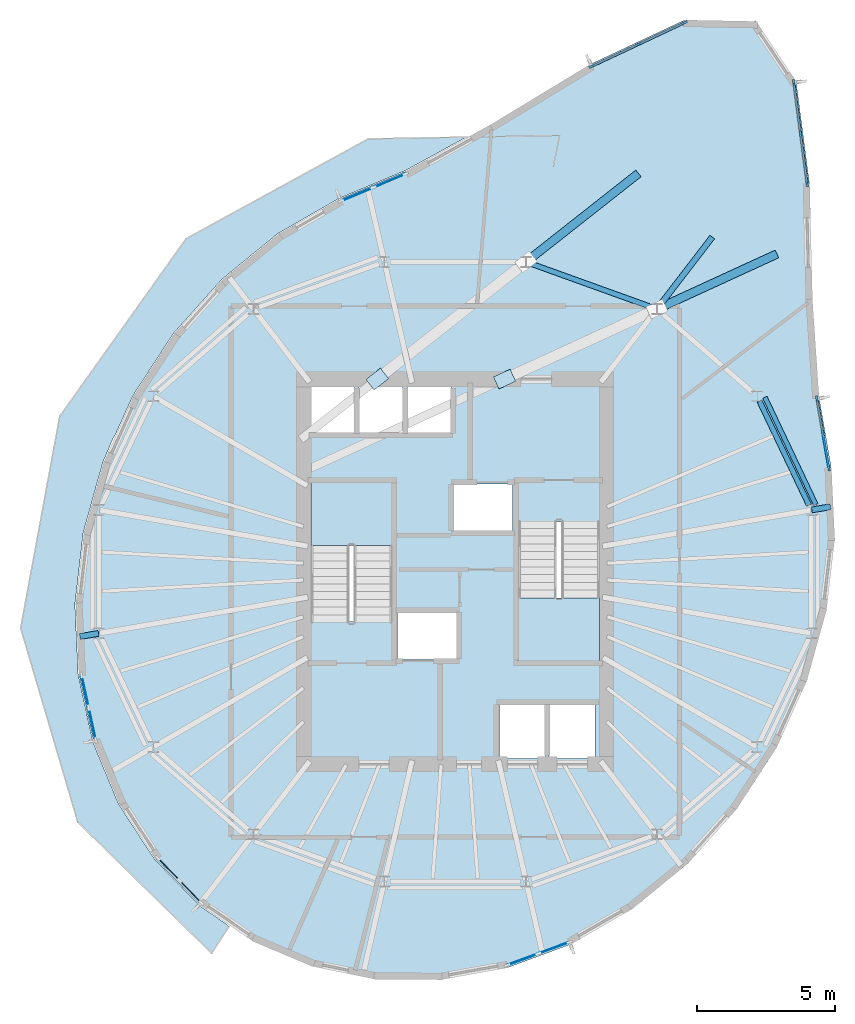
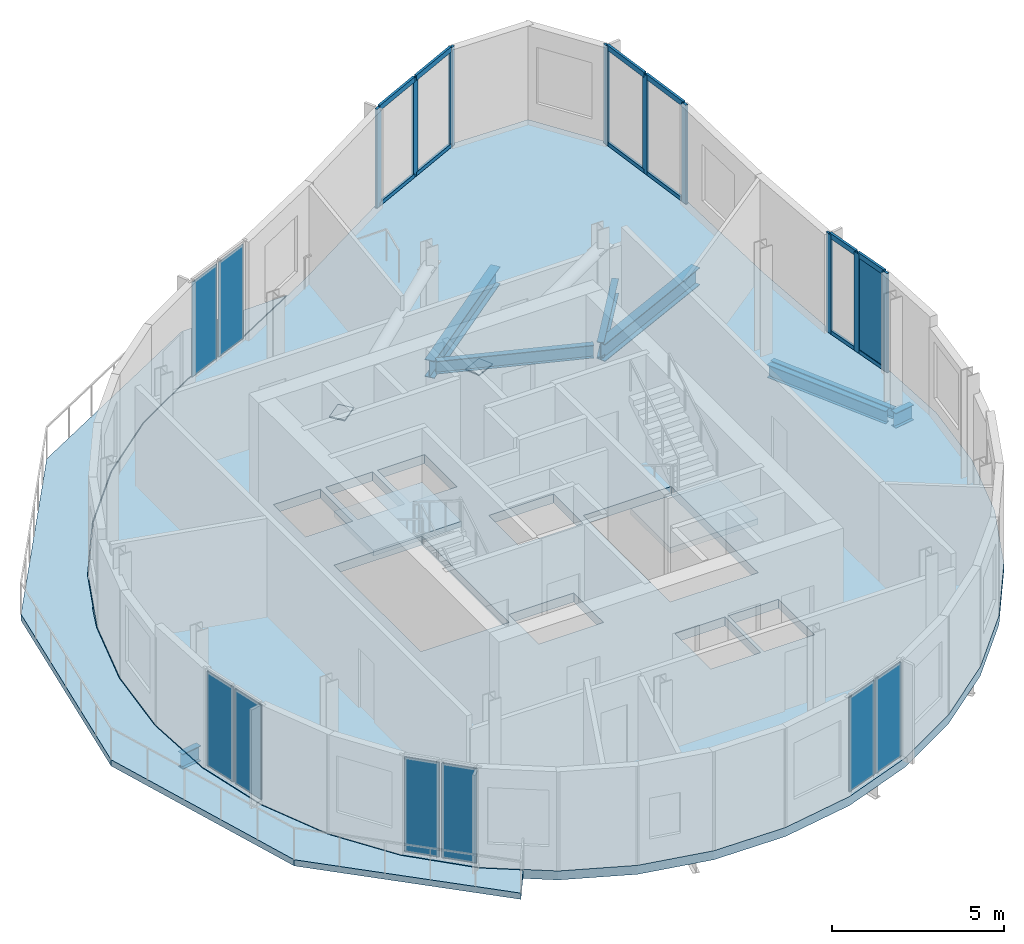
# One storey, part 3 of 8: 21 members, 11 plates, 8 beams, 4 slabs, 9 elements without a shape of their own.
"""IFC4 building model written with IfcOpenShell, lengths in metres."""

from ifc_helpers import new_model, si_unit, direction, frame, origin, origin_2d, place, context, subcontext, project, spatial, polyline, rectangle, i_section, outline, extrude, material, layer, layer_set, material_profile, profile_set, type_object, element, aggregate, save


model = new_model("IFC4")

# Units and contexts
model_context = context("Model", 3, precision=1e-05, world=origin(), true_north=direction((0.0, 1.0)))
body_context = subcontext(model_context, "Body", "Model", "MODEL_VIEW")
ifc_project = project(units=[si_unit("LENGTHUNIT", "METRE"), si_unit("AREAUNIT", "SQUARE_METRE"), si_unit("VOLUMEUNIT", "CUBIC_METRE"), si_unit("PLANEANGLEUNIT", "RADIAN"), si_unit("MASSUNIT", "GRAM", prefix="KILO")], contexts=[model_context])

# Site, building, storey
site_placement = place(None, origin())
site = spatial("IfcSite", under=ifc_project, at=site_placement, CompositionType="ELEMENT")
building_placement = place(site_placement, origin())
building = spatial("IfcBuilding", under=site, at=building_placement, Name="Veldorim Arch Residences", CompositionType="ELEMENT")
storey_placement = place(building_placement, frame((0.0, 0.0, 243.0400390625)))
storey = spatial("IfcBuildingStorey", under=building, at=storey_placement, Name="L73", CompositionType="ELEMENT", Elevation=243.0400390625)

# Curtain wall, members
ifc_material_1 = material(Name="Aluminium", Category="aluminium")
curtain_wall_type = type_object("IfcCurtainWallType", Name="Sky Lounge & Conservatory Tall Curtain Wall", PredefinedType="NOTDEFINED", material=ifc_material_1)
curtain_wall_1_placement = place(storey_placement, origin())
curtain_wall_1 = element("IfcCurtainWall", 1, at=curtain_wall_1_placement, inside=storey, type_object=curtain_wall_type, Name="L73 unitised curtain wall bay 02", PredefinedType="NOTDEFINED")
ifc_material_2 = material(Name="Aluminium", Category="aluminium")
ifc_material_profile_1 = material_profile(ifc_material_2, rectangle(XDim=0.080078125, YDim=0.219970703125, at=origin_2d()), Name="ALU_MUL_80x220")
ifc_profile_set_1 = profile_set([ifc_material_profile_1], Name="Aluminium")
member_type_1 = type_object("IfcMemberType", Name="Sky Lounge & Conservatory Tall Curtain Wall Mullion 80x220", PredefinedType="MULLION", material=ifc_profile_set_1)
member_1_placement = place(storey_placement, frame((36.96630859375, 42.37060546875, 0.0), z_axis=(0.0, 0.0, 1.0), x_axis=(-0.425477875731, 0.904968826681, 0.0)))
member_1 = element("IfcMember", 2, at=member_1_placement, type_object=member_type_1, Name="CW-SKY mullion 1", PredefinedType="MULLION", context=body_context, shape_type="SweptSolid", body=[
    extrude(rectangle(XDim=0.080078125, YDim=0.219970703125, at=origin_2d()), origin(), (0.0, 0.0, 1.0), 3.52001953125),
])
member_2_placement = place(storey_placement, frame((38.650634765625, 43.16259765625, 0.0), z_axis=(0.0, 0.0, 1.0), x_axis=(-0.425477875731, 0.904968826681, 0.0)))
member_2 = element("IfcMember", 3, at=member_2_placement, type_object=member_type_1, Name="CW-SKY mullion 2", PredefinedType="MULLION", context=body_context, shape_type="SweptSolid", body=[
    extrude(rectangle(XDim=0.080078125, YDim=0.219970703125, at=origin_2d()), origin(), (0.0, 0.0, 1.0), 3.52001953125),
])
member_3_placement = place(storey_placement, frame((40.335205078125, 43.95458984375, 0.0), z_axis=(0.0, 0.0, 1.0), x_axis=(-0.425477875731, 0.904968826681, 0.0)))
member_3 = element("IfcMember", 4, at=member_3_placement, type_object=member_type_1, Name="CW-SKY mullion 3", PredefinedType="MULLION", context=body_context, shape_type="SweptSolid", body=[
    extrude(rectangle(XDim=0.080078125, YDim=0.219970703125, at=origin_2d()), origin(), (0.0, 0.0, 1.0), 3.52001953125),
])

curtain_wall_2_placement = place(storey_placement, origin())
curtain_wall_2 = element("IfcCurtainWall", 5, at=curtain_wall_2_placement, inside=storey, type_object=curtain_wall_type, Name="L73 unitised curtain wall bay 32", PredefinedType="NOTDEFINED")
member_4_placement = place(storey_placement, frame((45.144775390625, 30.28369140625, 0.0), z_axis=(0.0, 0.0, 1.0), x_axis=(0.98523068919, 0.171232266461, 0.0)))
member_4 = element("IfcMember", 6, at=member_4_placement, type_object=member_type_1, Name="CW-SKY mullion 1", PredefinedType="MULLION", context=body_context, shape_type="SweptSolid", body=[
    extrude(rectangle(XDim=0.080078125, YDim=0.219970703125, at=origin_2d()), origin(), (0.0, 0.0, 1.0), 3.52001953125),
])
member_5_placement = place(storey_placement, frame((45.363525390625, 29.025146484375, 0.0), z_axis=(0.0, 0.0, 1.0), x_axis=(0.98523068919, 0.171232266461, 0.0)))
member_5 = element("IfcMember", 7, at=member_5_placement, type_object=member_type_1, Name="CW-SKY mullion 2", PredefinedType="MULLION", context=body_context, shape_type="SweptSolid", body=[
    extrude(rectangle(XDim=0.080078125, YDim=0.219970703125, at=origin_2d()), origin(), (0.0, 0.0, 1.0), 3.52001953125),
])
member_6_placement = place(storey_placement, frame((45.582275390625, 27.766357421875, 0.0), z_axis=(0.0, 0.0, 1.0), x_axis=(0.98523068919, 0.171232266461, 0.0)))
member_6 = element("IfcMember", 8, at=member_6_placement, type_object=member_type_1, Name="CW-SKY mullion 3", PredefinedType="MULLION", context=body_context, shape_type="SweptSolid", body=[
    extrude(rectangle(XDim=0.080078125, YDim=0.219970703125, at=origin_2d()), origin(), (0.0, 0.0, 1.0), 3.52001953125),
])

curtain_wall_3_placement = place(storey_placement, origin())
curtain_wall_3 = element("IfcCurtainWall", 9, at=curtain_wall_3_placement, inside=storey, type_object=curtain_wall_type, Name="L73 unitised curtain wall bay 35", PredefinedType="NOTDEFINED")
member_7_placement = place(storey_placement, frame((44.3076171875, 41.781494140625, 0.0), z_axis=(0.0, 0.0, 1.0), x_axis=(0.991540183545, 0.129800094047, 0.0)))
member_7 = element("IfcMember", 10, at=member_7_placement, type_object=member_type_1, Name="CW-SKY mullion 1", PredefinedType="MULLION", context=body_context, shape_type="SweptSolid", body=[
    extrude(rectangle(XDim=0.080078125, YDim=0.219970703125, at=origin_2d()), origin(), (0.0, 0.0, 1.0), 3.52001953125),
])
member_8_placement = place(storey_placement, frame((44.54931640625, 39.935791015625, 0.0), z_axis=(0.0, 0.0, 1.0), x_axis=(0.991540183545, 0.129800094047, 0.0)))
member_8 = element("IfcMember", 11, at=member_8_placement, type_object=member_type_1, Name="CW-SKY mullion 2", PredefinedType="MULLION", context=body_context, shape_type="SweptSolid", body=[
    extrude(rectangle(XDim=0.080078125, YDim=0.219970703125, at=origin_2d()), origin(), (0.0, 0.0, 1.0), 3.52001953125),
])
member_9_placement = place(storey_placement, frame((44.790771484375, 38.090087890625, 0.0), z_axis=(0.0, 0.0, 1.0), x_axis=(0.991540183545, 0.129800094047, 0.0)))
member_9 = element("IfcMember", 12, at=member_9_placement, type_object=member_type_1, Name="CW-SKY mullion 3", PredefinedType="MULLION", context=body_context, shape_type="SweptSolid", body=[
    extrude(rectangle(XDim=0.080078125, YDim=0.219970703125, at=origin_2d()), origin(), (0.0, 0.0, 1.0), 3.52001953125),
])

# Member
ifc_material_3 = material(Name="Aluminium", Category="aluminium")
ifc_material_profile_2 = material_profile(ifc_material_3, rectangle(XDim=0.080078125, YDim=0.18505859375, at=origin_2d()), Name="ALU_TRN_80x185")
ifc_profile_set_2 = profile_set([ifc_material_profile_2], Name="Aluminium")
member_type_2 = type_object("IfcMemberType", Name="Sky Lounge & Conservatory Tall Curtain Wall Transom 80x185", PredefinedType="USERDEFINED", material=ifc_profile_set_2)
member_10_placement = place(storey_placement, frame((37.00244140625, 42.387451171875, 0.0400390625), z_axis=(0.904939797418, 0.425539613961, 0.0), x_axis=(-0.425539613961, 0.904939797418, 0.0)))
member_10 = element("IfcMember", 13, at=member_10_placement, type_object=member_type_2, Name="CW-SKY transom 1.1", ObjectType="TRANSOM", PredefinedType="USERDEFINED", context=body_context, shape_type="SweptSolid", body=[
    extrude(rectangle(XDim=0.080078125, YDim=0.18505859375, at=origin_2d()), origin(), (0.0, 0.0, 1.0), 1.781494140625),
])

member_11_placement = place(storey_placement, frame((37.00244140625, 42.387451171875, 3.47998046875), z_axis=(0.904939797418, 0.425539613961, 0.0), x_axis=(-0.425539613961, 0.904939797418, 0.0)))
member_11 = element("IfcMember", 14, at=member_11_placement, type_object=member_type_2, Name="CW-SKY transom 1.2", ObjectType="TRANSOM", PredefinedType="USERDEFINED", context=body_context, shape_type="SweptSolid", body=[
    extrude(rectangle(XDim=0.080078125, YDim=0.18505859375, at=origin_2d()), origin(), (0.0, 0.0, 1.0), 1.781494140625),
])

member_12_placement = place(storey_placement, frame((38.68701171875, 43.179443359375, 0.0400390625), z_axis=(0.904939797418, 0.425539613961, 0.0), x_axis=(-0.425539613961, 0.904939797418, 0.0)))
member_12 = element("IfcMember", 15, at=member_12_placement, type_object=member_type_2, Name="CW-SKY transom 2.1", ObjectType="TRANSOM", PredefinedType="USERDEFINED", context=body_context, shape_type="SweptSolid", body=[
    extrude(rectangle(XDim=0.080078125, YDim=0.18505859375, at=origin_2d()), origin(), (0.0, 0.0, 1.0), 1.781494140625),
])

member_13_placement = place(storey_placement, frame((38.68701171875, 43.179443359375, 3.47998046875), z_axis=(0.904939797418, 0.425539613961, 0.0), x_axis=(-0.425539613961, 0.904939797418, 0.0)))
member_13 = element("IfcMember", 16, at=member_13_placement, type_object=member_type_2, Name="CW-SKY transom 2.2", ObjectType="TRANSOM", PredefinedType="USERDEFINED", context=body_context, shape_type="SweptSolid", body=[
    extrude(rectangle(XDim=0.080078125, YDim=0.18505859375, at=origin_2d()), origin(), (0.0, 0.0, 1.0), 1.781494140625),
])

aggregate(curtain_wall_1, [member_1, member_2, member_3, member_10, member_11, member_12, member_13])

member_14_placement = place(storey_placement, frame((45.151611328125, 30.244384765625, 0.0400390625), z_axis=(0.171237937308, -0.985229703585, 0.0), x_axis=(0.985229703585, 0.171237937308, 0.0)))
member_14 = element("IfcMember", 17, at=member_14_placement, type_object=member_type_2, Name="CW-SKY transom 1.1", ObjectType="TRANSOM", PredefinedType="USERDEFINED", context=body_context, shape_type="SweptSolid", body=[
    extrude(rectangle(XDim=0.080078125, YDim=0.18505859375, at=origin_2d()), origin(), (0.0, 0.0, 1.0), 1.197509765625),
])

member_15_placement = place(storey_placement, frame((45.151611328125, 30.244384765625, 3.47998046875), z_axis=(0.171237937308, -0.985229703585, 0.0), x_axis=(0.985229703585, 0.171237937308, 0.0)))
member_15 = element("IfcMember", 18, at=member_15_placement, type_object=member_type_2, Name="CW-SKY transom 1.2", ObjectType="TRANSOM", PredefinedType="USERDEFINED", context=body_context, shape_type="SweptSolid", body=[
    extrude(rectangle(XDim=0.080078125, YDim=0.18505859375, at=origin_2d()), origin(), (0.0, 0.0, 1.0), 1.197509765625),
])

member_16_placement = place(storey_placement, frame((45.370361328125, 28.985595703125, 0.0400390625), z_axis=(0.171272336173, -0.985223724269, 0.0), x_axis=(0.985223724269, 0.171272336173, 0.0)))
member_16 = element("IfcMember", 19, at=member_16_placement, type_object=member_type_2, Name="CW-SKY transom 2.1", ObjectType="TRANSOM", PredefinedType="USERDEFINED", context=body_context, shape_type="SweptSolid", body=[
    extrude(rectangle(XDim=0.080078125, YDim=0.18505859375, at=origin_2d()), origin(), (0.0, 0.0, 1.0), 1.197265625),
])

member_17_placement = place(storey_placement, frame((45.370361328125, 28.985595703125, 3.47998046875), z_axis=(0.171272336173, -0.985223724269, 0.0), x_axis=(0.985223724269, 0.171272336173, 0.0)))
member_17 = element("IfcMember", 20, at=member_17_placement, type_object=member_type_2, Name="CW-SKY transom 2.2", ObjectType="TRANSOM", PredefinedType="USERDEFINED", context=body_context, shape_type="SweptSolid", body=[
    extrude(rectangle(XDim=0.080078125, YDim=0.18505859375, at=origin_2d()), origin(), (0.0, 0.0, 1.0), 1.197265625),
])

member_18_placement = place(storey_placement, frame((44.312744140625, 41.74169921875, 0.0400390625), z_axis=(0.129784449638, -0.991542231391, 0.0), x_axis=(0.991542231391, 0.129784449638, 0.0)))
member_18 = element("IfcMember", 21, at=member_18_placement, type_object=member_type_2, Name="CW-SKY transom 1.1", ObjectType="TRANSOM", PredefinedType="USERDEFINED", context=body_context, shape_type="SweptSolid", body=[
    extrude(rectangle(XDim=0.080078125, YDim=0.18505859375, at=origin_2d()), origin(), (0.0, 0.0, 1.0), 1.781494140625),
])

member_19_placement = place(storey_placement, frame((44.312744140625, 41.74169921875, 3.47998046875), z_axis=(0.129784449638, -0.991542231391, 0.0), x_axis=(0.991542231391, 0.129784449638, 0.0)))
member_19 = element("IfcMember", 22, at=member_19_placement, type_object=member_type_2, Name="CW-SKY transom 1.2", ObjectType="TRANSOM", PredefinedType="USERDEFINED", context=body_context, shape_type="SweptSolid", body=[
    extrude(rectangle(XDim=0.080078125, YDim=0.18505859375, at=origin_2d()), origin(), (0.0, 0.0, 1.0), 1.781494140625),
])

member_20_placement = place(storey_placement, frame((44.554443359375, 39.896240234375, 0.0400390625), z_axis=(0.129784449638, -0.991542231391, 0.0), x_axis=(0.991542231391, 0.129784449638, 0.0)))
member_20 = element("IfcMember", 23, at=member_20_placement, type_object=member_type_2, Name="CW-SKY transom 2.1", ObjectType="TRANSOM", PredefinedType="USERDEFINED", context=body_context, shape_type="SweptSolid", body=[
    extrude(rectangle(XDim=0.080078125, YDim=0.18505859375, at=origin_2d()), origin(), (0.0, 0.0, 1.0), 1.781494140625),
])

member_21_placement = place(storey_placement, frame((44.554443359375, 39.896240234375, 3.47998046875), z_axis=(0.129784449638, -0.991542231391, 0.0), x_axis=(0.991542231391, 0.129784449638, 0.0)))
member_21 = element("IfcMember", 24, at=member_21_placement, type_object=member_type_2, Name="CW-SKY transom 2.2", ObjectType="TRANSOM", PredefinedType="USERDEFINED", context=body_context, shape_type="SweptSolid", body=[
    extrude(rectangle(XDim=0.080078125, YDim=0.18505859375, at=origin_2d()), origin(), (0.0, 0.0, 1.0), 1.781494140625),
])

aggregate(curtain_wall_3, [member_7, member_8, member_9, member_18, member_19, member_20, member_21])

# Beams
ifc_material_4 = material(Name="Steel S355", Category="steel")
ifc_material_profile_3 = material_profile(ifc_material_4, i_section(OverallWidth=0.2119140625, OverallDepth=0.54443359375, WebThickness=0.0126953125, FlangeThickness=0.021240234375, at=origin_2d()), Name="UB533x210x122")
ifc_profile_set_3 = profile_set([ifc_material_profile_3], Name="Steel S355")
beam_type_1 = type_object("IfcBeamType", Name="Structural Steel Beam UB533x210x122", PredefinedType="BEAM", material=ifc_profile_set_3)
beam_1_placement = place(storey_placement, frame((44.966064453125, 26.242919921875, -0.59228515625), z_axis=(0.985326364721, 0.170680857115, 0.0), x_axis=(-0.170680857115, 0.985326364721, 0.0)))
element("IfcBeam", 25, at=beam_1_placement, inside=storey, type_object=beam_type_1, Name="L73 radial edge cantilever girder 01", PredefinedType="BEAM", context=body_context, shape_type="SweptSolid", body=[
    extrude(i_section(OverallWidth=0.2119140625, OverallDepth=0.54443359375, WebThickness=0.0126953125, FlangeThickness=0.021240234375, at=origin_2d()), origin(), (0.0, 0.0, 1.0), 0.6865234375),
])
beam_2_placement = place(storey_placement, frame((39.345703125, 33.561279296875, -0.59228515625), z_axis=(0.609261001157, 0.792969755079, 0.0), x_axis=(-0.792969755079, 0.609261001157, 0.0)))
element("IfcBeam", 26, at=beam_2_placement, inside=storey, type_object=beam_type_1, Name="L73 radial edge cantilever girder 03", PredefinedType="BEAM", context=body_context, shape_type="SweptSolid", body=[
    extrude(i_section(OverallWidth=0.2119140625, OverallDepth=0.54443359375, WebThickness=0.0126953125, FlangeThickness=0.021240234375, at=origin_2d()), origin(), (0.0, 0.0, 1.0), 3.27978515625),
])
beam_3_placement = place(storey_placement, frame((19.033935546875, 21.757080078125, -0.59228515625), z_axis=(-0.985326364721, -0.170680857115, 0.0), x_axis=(0.170680857115, -0.985326364721, 0.0)))
element("IfcBeam", 27, at=beam_3_placement, inside=storey, type_object=beam_type_1, Name="L73 radial edge cantilever girder 09", PredefinedType="BEAM", context=body_context, shape_type="SweptSolid", body=[
    extrude(i_section(OverallWidth=0.2119140625, OverallDepth=0.54443359375, WebThickness=0.0126953125, FlangeThickness=0.021240234375, at=origin_2d()), origin(), (0.0, 0.0, 1.0), 0.6865234375),
])
ifc_material_5 = material(Name="Steel S355", Category="steel")
ifc_material_profile_4 = material_profile(ifc_material_5, i_section(OverallWidth=0.30712890625, OverallDepth=0.6201171875, WebThickness=0.01416015625, FlangeThickness=0.023681640625, at=origin_2d()), Name="UB610x305x179")
ifc_profile_set_4 = profile_set([ifc_material_profile_4], Name="Steel S355")
beam_type_2 = type_object("IfcBeamType", Name="Structural Steel Beam UB610x305x179", PredefinedType="BEAM", material=ifc_profile_set_4)
beam_4_placement = place(storey_placement, frame((39.351806640625, 33.5537109375, -0.64013671875), z_axis=(0.908700932786, 0.41744773895, 0.0), x_axis=(-0.41744773895, 0.908700932786, 0.0)))
element("IfcBeam", 28, at=beam_4_placement, inside=storey, type_object=beam_type_2, Name="Observation prow cantilever girder 1 L73", PredefinedType="BEAM", context=body_context, shape_type="SweptSolid", body=[
    extrude(i_section(OverallWidth=0.30712890625, OverallDepth=0.6201171875, WebThickness=0.01416015625, FlangeThickness=0.023681640625, at=origin_2d()), origin(), (0.0, 0.0, 1.0), 4.77978515625),
])
beam_5_placement = place(storey_placement, frame((34.5908203125, 35.271728515625, -0.64013671875), z_axis=(0.785632591973, 0.618693325024, 0.0), x_axis=(-0.618693325024, 0.785632591973, 0.0)))
element("IfcBeam", 29, at=beam_5_placement, inside=storey, type_object=beam_type_2, Name="Observation prow cantilever girder 2 L73", PredefinedType="BEAM", context=body_context, shape_type="SweptSolid", body=[
    extrude(i_section(OverallWidth=0.30712890625, OverallDepth=0.6201171875, WebThickness=0.01416015625, FlangeThickness=0.023681640625, at=origin_2d()), origin(), (0.0, 0.0, 1.0), 5.179931640625),
])
ifc_material_6 = material(Name="Steel S355", Category="steel")
ifc_material_profile_5 = material_profile(ifc_material_6, i_section(OverallWidth=0.172119140625, OverallDepth=0.35791015625, WebThickness=0.008056640625, FlangeThickness=0.012939453125, at=origin_2d()), Name="UB356x171x57")
ifc_profile_set_5 = profile_set([ifc_material_profile_5], Name="Steel S355")
beam_type_3 = type_object("IfcBeamType", Name="Structural Steel Spandrel UB356x171x57", PredefinedType="SPANDREL", material=ifc_profile_set_5)
beam_6_placement = place(storey_placement, frame((45.107666015625, 26.439208984375, -0.51904296875), z_axis=(-0.428453398876, 0.903563879862, 0.0), x_axis=(-0.903563879862, -0.428453398876, 0.0)))
element("IfcBeam", 30, at=beam_6_placement, inside=storey, type_object=beam_type_3, Name="L73 perimeter chord spandrel beam 01", PredefinedType="SPANDREL", context=body_context, shape_type="SweptSolid", body=[
    extrude(i_section(OverallWidth=0.172119140625, OverallDepth=0.35791015625, WebThickness=0.008056640625, FlangeThickness=0.012939453125, at=origin_2d()), origin(), (0.0, 0.0, 1.0), 4.31689453125),
])
ifc_material_7 = material(Name="Steel S355", Category="steel")
ifc_material_profile_6 = material_profile(ifc_material_7, i_section(OverallWidth=0.19140625, OverallDepth=0.4599609375, WebThickness=0.010009765625, FlangeThickness=0.01611328125, at=origin_2d()), Name="UB457x191x82")
ifc_profile_set_6 = profile_set([ifc_material_profile_6], Name="Steel S355")
beam_type_4 = type_object("IfcBeamType", Name="Structural Steel Spandrel UB457x191x82", PredefinedType="SPANDREL", material=ifc_profile_set_6)
beam_7_placement = place(storey_placement, frame((44.860595703125, 26.419677734375, -0.550048828125), z_axis=(-0.42997887291, 0.902838949564, 0.0), x_axis=(-0.902838949564, -0.42997887291, 0.0)))
element("IfcBeam", 31, at=beam_7_placement, inside=storey, type_object=beam_type_4, Name="L73 perimeter ring tie beam 01", PredefinedType="SPANDREL", context=body_context, shape_type="SweptSolid", body=[
    extrude(i_section(OverallWidth=0.19140625, OverallDepth=0.4599609375, WebThickness=0.010009765625, FlangeThickness=0.01611328125, at=origin_2d()), origin(), (0.0, 0.0, 1.0), 4.1845703125),
])
beam_8_placement = place(storey_placement, frame((39.145751953125, 33.61279296875, -0.550048828125), z_axis=(-0.940799194754, 0.338964415757, 0.0), x_axis=(-0.338964415757, -0.940799194754, 0.0)))
element("IfcBeam", 32, at=beam_8_placement, inside=storey, type_object=beam_type_4, Name="L73 perimeter ring tie beam 03", PredefinedType="SPANDREL", context=body_context, shape_type="SweptSolid", body=[
    extrude(i_section(OverallWidth=0.19140625, OverallDepth=0.4599609375, WebThickness=0.010009765625, FlangeThickness=0.01611328125, at=origin_2d()), origin(), (0.0, 0.0, 1.0), 4.65869140625),
])

# Slabs
ifc_material_8 = material(Name="Concrete C40/50", Category="concrete")
ifc_layer_1 = layer(ifc_material_8, 0.320068359375, Name="Observation Cantilever Deck Slab 320")
ifc_layer_set_1 = layer_set([ifc_layer_1], Name="Concrete C40/50")
slab_type_1 = type_object("IfcSlabType", Name="Observation Cantilever Deck Slab 320", PredefinedType="FLOOR", material=ifc_layer_set_1)
slab_1_placement = place(storey_placement, frame((0.0, 0.0, -0.320068359375)))
element("IfcSlab", 33, at=slab_1_placement, inside=storey, type_object=slab_type_1, Name="L73 tower structural floor slab", PredefinedType="FLOOR", context=body_context, shape_type="SweptSolid", body=[
    extrude(outline(polyline([(42.942138671875, 44.002685546875), (40.3330078125, 44.052978515625), (36.8916015625, 42.434814453125), (33.301513671875, 40.2568359375), (30.20361328125, 38.556640625), (27.774169921875, 37.536376953125), (25.555908203125, 36.25634765625), (23.53369140625, 34.60400390625), (21.768310546875, 32.62939453125), (20.314208984375, 30.392578125), (19.215087890625, 27.96142578125), (18.50439453125, 25.41015625), (18.20361328125, 22.81591796875), (18.322265625, 20.257568359375), (18.856201171875, 17.81298828125), (19.789794921875, 15.556396484375), (21.09423828125, 13.556396484375), (22.72998046875, 11.873779296875), (24.647705078125, 10.5595703125), (26.78857421875, 9.65380859375), (29.087890625, 9.18359375), (31.4755859375, 9.1640625), (33.87939453125, 9.594970703125), (36.225830078125, 10.463623046875), (38.444091796875, 11.74365234375), (40.46630859375, 13.39599609375), (42.231689453125, 15.37060546875), (43.685791015625, 17.607421875), (44.784912109375, 20.03857421875), (45.49560546875, 22.58984375), (45.79638671875, 25.18408203125), (45.677734375, 27.742431640625), (45.2265625, 30.33837890625), (44.9873046875, 33.8642578125), (44.88525390625, 38.062255859375), (44.3916015625, 41.832763671875), (42.942138671875, 44.002685546875)]), holes=[polyline([(33.610107421875, 17.2099609375), (33.610107421875, 19.2900390625), (35.2900390625, 19.2900390625), (35.2900390625, 17.2099609375), (33.610107421875, 17.2099609375)]), polyline([(35.409912109375, 17.2099609375), (35.409912109375, 19.2900390625), (37.090087890625, 19.2900390625), (37.090087890625, 17.2099609375), (35.409912109375, 17.2099609375)]), polyline([(29.909912109375, 20.81494140625), (29.909912109375, 22.544921875), (32.090087890625, 22.544921875), (32.090087890625, 20.81494140625), (29.909912109375, 20.81494140625)]), polyline([(34.2900390625, 20.75), (34.2900390625, 25.804931640625), (37.25, 25.804931640625), (37.25, 20.75), (34.2900390625, 20.75)]), polyline([(26.75, 22.195068359375), (26.75, 27.25), (29.7099609375, 27.25), (29.7099609375, 22.195068359375), (26.75, 22.195068359375)]), polyline([(31.909912109375, 25.455078125), (31.909912109375, 27.18505859375), (34.090087890625, 27.18505859375), (34.090087890625, 25.455078125), (31.909912109375, 25.455078125)]), polyline([(26.760009765625, 28.909912109375), (26.760009765625, 30.7900390625), (28.340087890625, 30.7900390625), (28.340087890625, 28.909912109375), (26.760009765625, 28.909912109375)]), polyline([(28.510009765625, 30.7900390625), (30.090087890625, 30.7900390625), (30.090087890625, 28.909912109375), (28.510009765625, 28.909912109375), (28.510009765625, 30.7900390625)]), polyline([(30.260009765625, 30.7900390625), (31.840087890625, 30.7900390625), (31.840087890625, 28.909912109375), (30.260009765625, 28.909912109375), (30.260009765625, 30.7900390625)])]), origin(), (0.0, 0.0, 1.0), 0.320068359375),
])
ifc_material_9 = material(Name="Concrete C40/50", Category="concrete")
ifc_layer_2 = layer(ifc_material_9, 0.219970703125, Name="Planted Crescent Cantilever Balcony Slab 220")
ifc_layer_set_2 = layer_set([ifc_layer_2], Name="Concrete C40/50")
slab_type_2 = type_object("IfcSlabType", Name="Planted Crescent Cantilever Balcony Slab 220", PredefinedType="FLOOR", material=ifc_layer_set_2)
slab_2_placement = place(storey_placement, frame((0.0, 0.0, -0.219970703125)))
element("IfcSlab", 34, at=slab_2_placement, inside=storey, type_object=slab_type_2, Name="L73 planted crescent balcony slab A", PredefinedType="FLOOR", context=body_context, shape_type="SweptSolid", body=[
    extrude(outline(polyline([(19.5673828125, 28.85400390625), (19.19140625, 27.97021484375), (18.479736328125, 25.414794921875), (18.178466796875, 22.816650390625), (18.29736328125, 20.25439453125), (18.83251953125, 17.805419921875), (19.767578125, 15.544921875), (21.07470703125, 13.540771484375), (22.7138671875, 11.8544921875), (23.686279296875, 11.188232421875), (23.772705078125, 11.089599609375), (23.14501953125, 10.126220703125), (18.28173828125, 14.8916015625), (16.20263671875, 21.94873046875), (17.6240234375, 29.650146484375), (22.214599609375, 36.10302734375), (28.840576171875, 39.7333984375), (32.411376953125, 39.796875), (30.192626953125, 38.5791015625), (27.762939453125, 37.55859375), (25.541748046875, 36.27685546875), (23.516357421875, 34.6220703125), (21.74853515625, 32.64453125), (20.292236328125, 30.404541015625), (19.636474609375, 28.9541015625), (19.5673828125, 28.85400390625)])), origin(), (0.0, 0.0, 1.0), 0.219970703125),
])

# Stair, slab
ifc_material_10 = material(Name="Concrete C40/50", Category="concrete")
stair_type = type_object("IfcStairType", Name="Reinforced Concrete Dogleg Exit Staircase", PredefinedType="HALF_TURN_STAIR", material=ifc_material_10)
stair_1_placement = place(storey_placement, origin())
stair_1 = element("IfcStair", 35, at=stair_1_placement, inside=storey, type_object=stair_type, Name="L73 Exit Staircase ST-1", PredefinedType="HALF_TURN_STAIR")
ifc_material_11 = material(Name="Concrete C40/50", Category="concrete")
ifc_layer_3 = layer(ifc_material_11, 0.199951171875, Name="Reinforced Concrete Stair Landing 200")
ifc_layer_set_3 = layer_set([ifc_layer_3], Name="Concrete C40/50")
slab_type_3 = type_object("IfcSlabType", Name="Reinforced Concrete Stair Landing 200", PredefinedType="LANDING", material=ifc_layer_set_3)
slab_3_placement = place(storey_placement, frame((0.0, 0.0, 1.719970703125)))
slab_3 = element("IfcSlab", 36, at=slab_3_placement, type_object=slab_type_3, Name="ST-1 landing 1", PredefinedType="LANDING", context=body_context, shape_type="SweptSolid", body=[
    extrude(outline(polyline([(29.7099609375, 24.949951171875), (29.7099609375, 27.25), (26.75, 27.25), (26.75, 24.949951171875), (29.7099609375, 24.949951171875)])), origin(), (0.0, 0.0, 1.0), 0.199951171875),
])
aggregate(stair_1, [slab_3])

stair_2_placement = place(storey_placement, origin())
stair_2 = element("IfcStair", 37, at=stair_2_placement, inside=storey, type_object=stair_type, Name="L73 Exit Staircase ST-2", PredefinedType="HALF_TURN_STAIR")
slab_4_placement = place(storey_placement, frame((0.0, 0.0, 1.719970703125)))
slab_4 = element("IfcSlab", 38, at=slab_4_placement, type_object=slab_type_3, Name="ST-2 landing 1", PredefinedType="LANDING", context=body_context, shape_type="SweptSolid", body=[
    extrude(outline(polyline([(34.2900390625, 23.050048828125), (34.2900390625, 20.75), (37.25, 20.75), (37.25, 23.050048828125), (34.2900390625, 23.050048828125)])), origin(), (0.0, 0.0, 1.0), 0.199951171875),
])
aggregate(stair_2, [slab_4])

# Curtain wall, plates
curtain_wall_4_placement = place(storey_placement, origin())
curtain_wall_4 = element("IfcCurtainWall", 39, at=curtain_wall_4_placement, inside=storey, type_object=curtain_wall_type, Name="L73 unitised curtain wall bay 05", PredefinedType="NOTDEFINED")
ifc_material_12 = material(Name="Laminated Low-E Glass", Category="glass")
ifc_layer_4 = layer(ifc_material_12, 0.031982421875, Name="Sky Lounge & Conservatory Tall Curtain Wall Glazing Panel 32")
ifc_layer_set_4 = layer_set([ifc_layer_4], Name="Laminated Low-E Glass")
plate_type_1 = type_object("IfcPlateType", Name="Sky Lounge & Conservatory Tall Curtain Wall Glazing Panel 32", PredefinedType="CURTAIN_PANEL", material=ifc_layer_set_4)
plate_1_placement = place(storey_placement, frame((28.434814453125, 37.716064453125, 0.080078125), z_axis=(0.0, 0.0, 1.0), x_axis=(0.921994299205, 0.387203450699, 0.0)))
plate_1 = element("IfcPlate", 40, at=plate_1_placement, type_object=plate_type_1, Name="CW-SKY panel 1.1", PredefinedType="CURTAIN_PANEL", context=body_context, shape_type="SweptSolid", body=[
    extrude(rectangle(XDim=1.197509765625, YDim=0.031982421875, at=origin_2d()), origin(), (0.0, 0.0, 1.0), 3.360107421875),
])
plate_2_placement = place(storey_placement, frame((29.612548828125, 38.210693359375, 0.080078125), z_axis=(0.0, 0.0, 1.0), x_axis=(0.921994299205, 0.387203450699, 0.0)))
plate_2 = element("IfcPlate", 41, at=plate_2_placement, type_object=plate_type_1, Name="CW-SKY panel 2.1", PredefinedType="CURTAIN_PANEL", context=body_context, shape_type="SweptSolid", body=[
    extrude(rectangle(XDim=1.197509765625, YDim=0.031982421875, at=origin_2d()), origin(), (0.0, 0.0, 1.0), 3.360107421875),
])
aggregate(curtain_wall_4, [plate_1, plate_2])

curtain_wall_5_placement = place(storey_placement, origin())
curtain_wall_5 = element("IfcCurtainWall", 42, at=curtain_wall_5_placement, inside=storey, type_object=curtain_wall_type, Name="L73 unitised curtain wall bay 14", PredefinedType="NOTDEFINED")
plate_3_placement = place(storey_placement, frame((18.806396484375, 18.462890625, 0.080078125), z_axis=(0.0, 0.0, 1.0), x_axis=(-0.21344658601, 0.976954735349, 0.0)))
plate_3 = element("IfcPlate", 43, at=plate_3_placement, type_object=plate_type_1, Name="CW-SKY panel 1.1", PredefinedType="CURTAIN_PANEL", context=body_context, shape_type="SweptSolid", body=[
    extrude(rectangle(XDim=1.131103515625, YDim=0.031982421875, at=origin_2d()), origin(), (0.0, 0.0, 1.0), 3.360107421875),
])
plate_4_placement = place(storey_placement, frame((18.5478515625, 19.64599609375, 0.080078125), z_axis=(0.0, 0.0, 1.0), x_axis=(-0.21344658601, 0.976954735349, 0.0)))
plate_4 = element("IfcPlate", 44, at=plate_4_placement, type_object=plate_type_1, Name="CW-SKY panel 2.1", PredefinedType="CURTAIN_PANEL", context=body_context, shape_type="SweptSolid", body=[
    extrude(rectangle(XDim=1.131103515625, YDim=0.031982421875, at=origin_2d()), origin(), (0.0, 0.0, 1.0), 3.360107421875),
])
aggregate(curtain_wall_5, [plate_3, plate_4])

curtain_wall_6_placement = place(storey_placement, origin())
curtain_wall_6 = element("IfcCurtainWall", 45, at=curtain_wall_6_placement, inside=storey, type_object=curtain_wall_type, Name="L73 unitised curtain wall bay 17", PredefinedType="NOTDEFINED")
plate_5_placement = place(storey_placement, frame((22.371826171875, 12.37158203125, 0.080078125), z_axis=(0.0, 0.0, 1.0), x_axis=(-0.697043708065, 0.717028638931, 0.0)))
plate_5 = element("IfcPlate", 46, at=plate_5_placement, type_object=plate_type_1, Name="CW-SKY panel 1.1", PredefinedType="CURTAIN_PANEL", context=body_context, shape_type="SweptSolid", body=[
    extrude(rectangle(XDim=1.053466796875, YDim=0.031982421875, at=origin_2d()), origin(), (0.0, 0.0, 1.0), 3.360107421875),
])
plate_6_placement = place(storey_placement, frame((21.581787109375, 13.18408203125, 0.080078125), z_axis=(0.0, 0.0, 1.0), x_axis=(-0.697043708065, 0.717028638931, 0.0)))
plate_6 = element("IfcPlate", 47, at=plate_6_placement, type_object=plate_type_1, Name="CW-SKY panel 2.1", PredefinedType="CURTAIN_PANEL", context=body_context, shape_type="SweptSolid", body=[
    extrude(rectangle(XDim=1.053466796875, YDim=0.031982421875, at=origin_2d()), origin(), (0.0, 0.0, 1.0), 3.360107421875),
])
aggregate(curtain_wall_6, [plate_5, plate_6])

curtain_wall_7_placement = place(storey_placement, origin())
curtain_wall_7 = element("IfcCurtainWall", 48, at=curtain_wall_7_placement, inside=storey, type_object=curtain_wall_type, Name="L73 unitised curtain wall bay 23", PredefinedType="NOTDEFINED")
plate_7_placement = place(storey_placement, frame((35.58935546875, 10.323974609375, 0.080078125), z_axis=(0.0, 0.0, 1.0), x_axis=(-0.937802260298, -0.347169872801, 0.0)))
plate_7 = element("IfcPlate", 49, at=plate_7_placement, type_object=plate_type_1, Name="CW-SKY panel 1.1", PredefinedType="CURTAIN_PANEL", context=body_context, shape_type="SweptSolid", body=[
    extrude(rectangle(XDim=1.131103515625, YDim=0.031982421875, at=origin_2d()), origin(), (0.0, 0.0, 1.0), 3.360107421875),
])
plate_8_placement = place(storey_placement, frame((34.45361328125, 9.903564453125, 0.080078125), z_axis=(0.0, 0.0, 1.0), x_axis=(-0.937802260298, -0.347169872801, 0.0)))
plate_8 = element("IfcPlate", 50, at=plate_8_placement, type_object=plate_type_1, Name="CW-SKY panel 2.1", PredefinedType="CURTAIN_PANEL", context=body_context, shape_type="SweptSolid", body=[
    extrude(rectangle(XDim=1.131103515625, YDim=0.031982421875, at=origin_2d()), origin(), (0.0, 0.0, 1.0), 3.360107421875),
])
aggregate(curtain_wall_7, [plate_7, plate_8])

# Plate
plate_9_placement = place(storey_placement, frame((45.472900390625, 28.395751953125, 0.080078125), z_axis=(0.0, 0.0, 1.0), x_axis=(0.171232266461, -0.98523068919, 0.0)))
plate_9 = element("IfcPlate", 51, at=plate_9_placement, type_object=plate_type_1, Name="CW-SKY panel 2.1", PredefinedType="CURTAIN_PANEL", context=body_context, shape_type="SweptSolid", body=[
    extrude(rectangle(XDim=1.197509765625, YDim=0.031982421875, at=origin_2d()), origin(), (0.0, 0.0, 1.0), 3.360107421875),
])

aggregate(curtain_wall_2, [member_4, member_5, member_6, member_14, member_15, member_16, member_17, plate_9])

# Plates
ifc_material_13 = material(Name="Steel S355", Category="steel")
ifc_layer_5 = layer(ifc_material_13, 0.035888671875, Name="Welded Hollow-Section End-Cap & Gusset Plate 36")
ifc_layer_set_5 = layer_set([ifc_layer_5], Name="Steel S355")
plate_type_2 = type_object("IfcPlateType", Name="Welded Hollow-Section End-Cap & Gusset Plate 36", PredefinedType="USERDEFINED", material=ifc_layer_set_5)
for number, where, z_axis, x_axis, name in (
    (52, (33.79248046875, 31.0, 2.2822265625), (0.0, 0.0, 1.0), (0.908712277409, 0.41742304307, 0.0), "Observation prow truss 1 back-span brace L73 welded joint gusset plate 1"),
    (53, (29.16650390625, 31.0, 2.2822265625), (0.0, 0.0, 1.0), (0.785630181881, 0.618696385409, 0.0), "Observation prow truss 2 back-span brace L73 welded joint gusset plate 1"),
):
    element("IfcPlate", number, at=place(storey_placement, frame(where, z_axis=z_axis, x_axis=x_axis)), inside=storey, type_object=plate_type_2, Name=name, ObjectType="GUSSET PLATE", PredefinedType="USERDEFINED", context=body_context, shape_type="SweptSolid", body=[
        extrude(rectangle(XDim=0.6708984375, YDim=0.486083984375, at=origin_2d()), origin(), (0.0, 0.0, 1.0), 0.035888671875),
    ])

save(model, "model.ifc")
